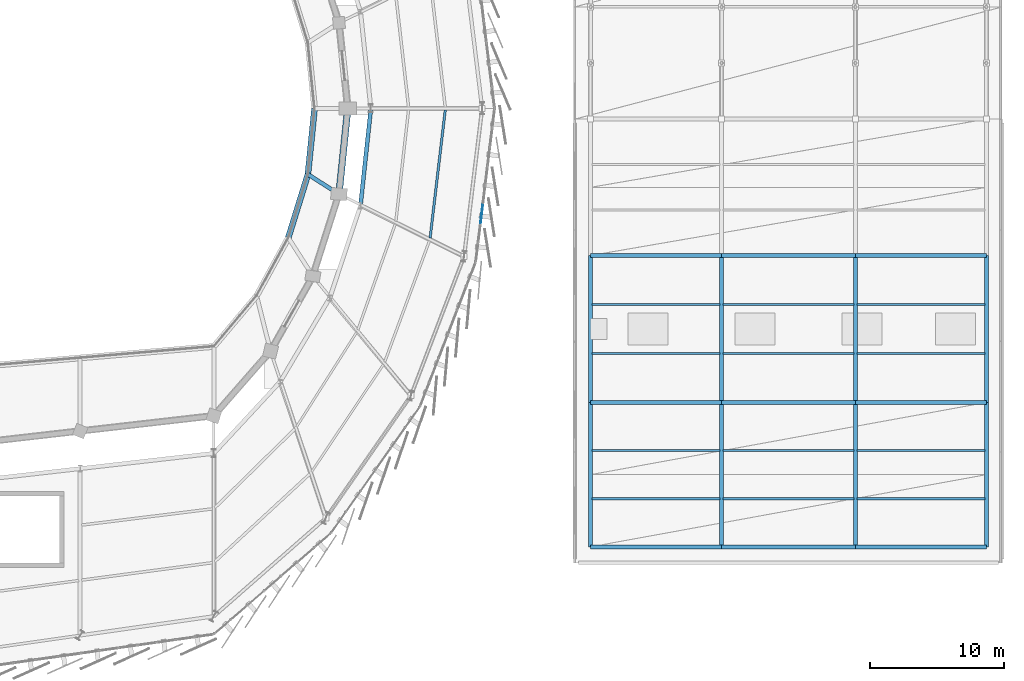
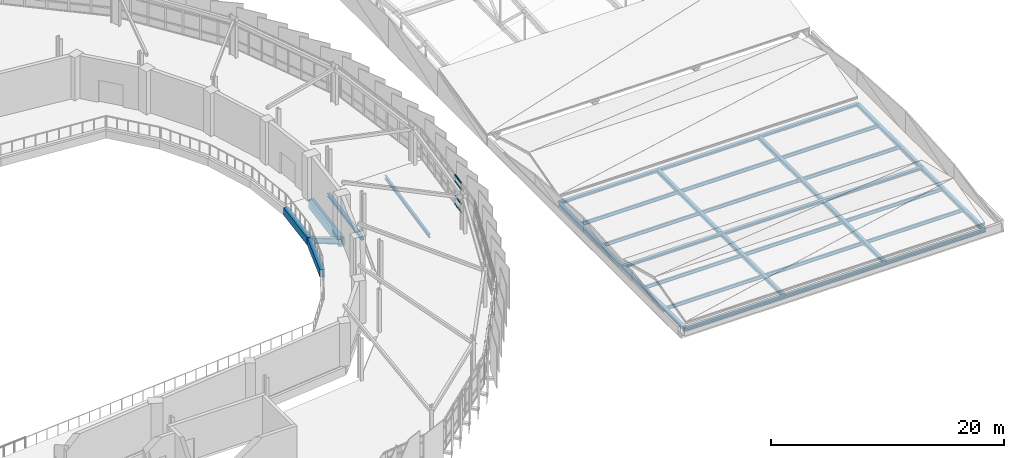
# One storey, part 43 of 87: 35 beams, 4 members, 1 element without a shape of its own.
"""IFC4 building model written with IfcOpenShell, lengths in metres."""

from ifc_helpers import new_model, si_unit, direction, frame, origin, origin_2d, place, context, subcontext, project, spatial, rectangle, i_section, extrude, material, layer, layer_set, material_profile, profile_set, type_object, element, aggregate, save


model = new_model("IFC4")

# Units and contexts
model_context = context("Model", 3, precision=1e-05, world=origin(), true_north=direction((0.0, 1.0)))
body_context = subcontext(model_context, "Body", "Model", "MODEL_VIEW")
ifc_project = project(units=[si_unit("LENGTHUNIT", "METRE"), si_unit("AREAUNIT", "SQUARE_METRE"), si_unit("VOLUMEUNIT", "CUBIC_METRE"), si_unit("PLANEANGLEUNIT", "RADIAN"), si_unit("MASSUNIT", "GRAM", prefix="KILO")], contexts=[model_context])

# Site, building, storey
site_placement = place(None, origin())
site = spatial("IfcSite", under=ifc_project, at=site_placement, CompositionType="ELEMENT")
building_placement = place(site_placement, origin())
building = spatial("IfcBuilding", under=site, at=building_placement, Name="Sohan Crest Arena", CompositionType="ELEMENT")
storey_placement = place(building_placement, frame((0.0, 0.0, 18.0)))
storey = spatial("IfcBuildingStorey", under=building, at=storey_placement, Name="L04", CompositionType="ELEMENT", Elevation=18.0)

# Curtain wall, members
ifc_material_1 = material(Name="Thermally broken anodised aluminium", Category="aluminium")
ifc_layer = layer(ifc_material_1, 0.18994140625, Name="Thermally broken anodised aluminium")
ifc_layer_set = layer_set([ifc_layer], Name="Thermally broken anodised aluminium")
curtain_wall_type = type_object("IfcCurtainWallType", Name="ARC-CW05", PredefinedType="NOTDEFINED", material=ifc_layer_set)
curtain_wall_placement = place(storey_placement, origin())
curtain_wall = element("IfcCurtainWall", 1, at=curtain_wall_placement, inside=storey, type_object=curtain_wall_type, Name="Unitised curtain wall CW-134", PredefinedType="NOTDEFINED")
ifc_material_profile_1 = material_profile(ifc_material_1, rectangle(XDim=0.06494140625, YDim=0.139892578125, at=origin_2d()), Name="ALU-TRAN 65x140")
ifc_profile_set_1 = profile_set([ifc_material_profile_1], Name="Thermally broken anodised aluminium")
member_type = type_object("IfcMemberType", Name="ARC-CW-TR02", PredefinedType="USERDEFINED", material=ifc_profile_set_1)
member_1_placement = place(storey_placement, frame((187.95556640625, 69.412841796875, 0.032470703125), z_axis=(0.122267990473, 0.992497122669, 0.0), x_axis=(-0.992497122669, 0.122267990473, 0.0)))
member_1 = element("IfcMember", 2, at=member_1_placement, type_object=member_type, Name="CW-134 transom 3.1", ObjectType="TRANSOM", PredefinedType="USERDEFINED", context=body_context, shape_type="SweptSolid", body=[
    extrude(rectangle(XDim=0.06494140625, YDim=0.139892578125, at=origin_2d()), origin(), (0.0, 0.0, 1.0), 1.377685546875),
])
member_2_placement = place(storey_placement, frame((187.95556640625, 69.412841796875, 0.89990234375), z_axis=(0.122267990473, 0.992497122669, 0.0), x_axis=(-0.992497122669, 0.122267990473, 0.0)))
member_2 = element("IfcMember", 3, at=member_2_placement, type_object=member_type, Name="CW-134 transom 3.2", ObjectType="TRANSOM", PredefinedType="USERDEFINED", context=body_context, shape_type="SweptSolid", body=[
    extrude(rectangle(XDim=0.06494140625, YDim=0.139892578125, at=origin_2d()), origin(), (0.0, 0.0, 1.0), 1.377685546875),
])
member_3_placement = place(storey_placement, frame((187.95556640625, 69.412841796875, 2.419921875), z_axis=(0.122267990473, 0.992497122669, 0.0), x_axis=(-0.992497122669, 0.122267990473, 0.0)))
member_3 = element("IfcMember", 4, at=member_3_placement, type_object=member_type, Name="CW-134 transom 3.3", ObjectType="TRANSOM", PredefinedType="USERDEFINED", context=body_context, shape_type="SweptSolid", body=[
    extrude(rectangle(XDim=0.06494140625, YDim=0.139892578125, at=origin_2d()), origin(), (0.0, 0.0, 1.0), 1.377685546875),
])
member_4_placement = place(storey_placement, frame((187.95556640625, 69.412841796875, 3.08740234375), z_axis=(0.122267990473, 0.992497122669, 0.0), x_axis=(-0.992497122669, 0.122267990473, 0.0)))
member_4 = element("IfcMember", 5, at=member_4_placement, type_object=member_type, Name="CW-134 transom 3.4", ObjectType="TRANSOM", PredefinedType="USERDEFINED", context=body_context, shape_type="SweptSolid", body=[
    extrude(rectangle(XDim=0.06494140625, YDim=0.139892578125, at=origin_2d()), origin(), (0.0, 0.0, 1.0), 1.377685546875),
])
aggregate(curtain_wall, [member_1, member_2, member_3, member_4])

# Beams
ifc_material_2 = material(Name="Steel S355", Category="steel")
ifc_material_profile_2 = material_profile(ifc_material_2, i_section(OverallWidth=0.169921875, OverallDepth=0.360107421875, WebThickness=0.008056640625, FlangeThickness=0.0126953125, at=origin_2d()), Name="IPE 360")
ifc_profile_set_2 = profile_set([ifc_material_profile_2], Name="Steel S355")
beam_type_1 = type_object("IfcBeamType", Name="STR-BM-B02", PredefinedType="JOIST", material=ifc_profile_set_2)
for number, where, z_axis, x_axis, name in (
    (6, (196.31005859375, 48.800048828125, -0.419921875), (1.0, 0.0, 0.0), (0.0, 1.0, 0.0), "Structural beam J-L04-2397"),
    (7, (196.31005859375, 52.39990234375, -0.419921875), (1.0, 0.0, 0.0), (0.0, 1.0, 0.0), "Structural beam J-L04-2398"),
):
    element("IfcBeam", number, at=place(storey_placement, frame(where, z_axis=z_axis, x_axis=x_axis)), inside=storey, type_object=beam_type_1, Name=name, PredefinedType="JOIST", context=body_context, shape_type="SweptSolid", body=[
        extrude(i_section(OverallWidth=0.169921875, OverallDepth=0.360107421875, WebThickness=0.008056640625, FlangeThickness=0.0126953125, at=origin_2d()), origin(), (0.0, 0.0, 1.0), 9.579833984375),
    ])
for number, where, z_axis, x_axis, name in (
    (8, (206.110107421875, 48.800048828125, -0.419921875), (1.0, 0.0, 0.0), (0.0, 1.0, 0.0), "Structural beam J-L04-2400"),
    (9, (206.110107421875, 52.39990234375, -0.419921875), (1.0, 0.0, 0.0), (0.0, 1.0, 0.0), "Structural beam J-L04-2401"),
):
    element("IfcBeam", number, at=place(storey_placement, frame(where, z_axis=z_axis, x_axis=x_axis)), inside=storey, type_object=beam_type_1, Name=name, PredefinedType="JOIST", context=body_context, shape_type="SweptSolid", body=[
        extrude(i_section(OverallWidth=0.169921875, OverallDepth=0.360107421875, WebThickness=0.008056640625, FlangeThickness=0.0126953125, at=origin_2d()), origin(), (0.0, 0.0, 1.0), 9.77978515625),
    ])
for number, where, z_axis, x_axis, name in (
    (10, (216.110107421875, 48.800048828125, -0.419921875), (1.0, 0.0, 0.0), (0.0, 1.0, 0.0), "Structural beam J-L04-2403"),
    (11, (216.110107421875, 52.39990234375, -0.419921875), (1.0, 0.0, 0.0), (0.0, 1.0, 0.0), "Structural beam J-L04-2404"),
    (12, (196.31005859375, 59.6669921875, -0.419921875), (1.0, 0.0, 0.0), (0.0, 1.0, 0.0), "Structural beam J-L04-2406"),
    (13, (196.31005859375, 63.3330078125, -0.419921875), (1.0, 0.0, 0.0), (0.0, 1.0, 0.0), "Structural beam J-L04-2407"),
):
    element("IfcBeam", number, at=place(storey_placement, frame(where, z_axis=z_axis, x_axis=x_axis)), inside=storey, type_object=beam_type_1, Name=name, PredefinedType="JOIST", context=body_context, shape_type="SweptSolid", body=[
        extrude(i_section(OverallWidth=0.169921875, OverallDepth=0.360107421875, WebThickness=0.008056640625, FlangeThickness=0.0126953125, at=origin_2d()), origin(), (0.0, 0.0, 1.0), 9.579833984375),
    ])
for number, where, z_axis, x_axis, name in (
    (14, (206.110107421875, 59.6669921875, -0.419921875), (1.0, 0.0, 0.0), (0.0, 1.0, 0.0), "Structural beam J-L04-2409"),
    (15, (206.110107421875, 63.3330078125, -0.419921875), (1.0, 0.0, 0.0), (0.0, 1.0, 0.0), "Structural beam J-L04-2410"),
):
    element("IfcBeam", number, at=place(storey_placement, frame(where, z_axis=z_axis, x_axis=x_axis)), inside=storey, type_object=beam_type_1, Name=name, PredefinedType="JOIST", context=body_context, shape_type="SweptSolid", body=[
        extrude(i_section(OverallWidth=0.169921875, OverallDepth=0.360107421875, WebThickness=0.008056640625, FlangeThickness=0.0126953125, at=origin_2d()), origin(), (0.0, 0.0, 1.0), 9.77978515625),
    ])
for number, where, z_axis, x_axis, name in (
    (16, (216.110107421875, 59.6669921875, -0.419921875), (1.0, 0.0, 0.0), (0.0, 1.0, 0.0), "Structural beam J-L04-2412"),
    (17, (216.110107421875, 63.3330078125, -0.419921875), (1.0, 0.0, 0.0), (0.0, 1.0, 0.0), "Structural beam J-L04-2413"),
):
    element("IfcBeam", number, at=place(storey_placement, frame(where, z_axis=z_axis, x_axis=x_axis)), inside=storey, type_object=beam_type_1, Name=name, PredefinedType="JOIST", context=body_context, shape_type="SweptSolid", body=[
        extrude(i_section(OverallWidth=0.169921875, OverallDepth=0.360107421875, WebThickness=0.008056640625, FlangeThickness=0.0126953125, at=origin_2d()), origin(), (0.0, 0.0, 1.0), 9.579833984375),
    ])
ifc_material_profile_3 = material_profile(ifc_material_2, i_section(OverallWidth=0.179931640625, OverallDepth=0.39990234375, WebThickness=0.008544921875, FlangeThickness=0.013427734375, at=origin_2d()), Name="IPE 400")
ifc_profile_set_3 = profile_set([ifc_material_profile_3], Name="Steel S355")
beam_type_2 = type_object("IfcBeamType", Name="STR-BM-B03", PredefinedType="JOIST", material=ifc_profile_set_3)
beam_1_placement = place(storey_placement, frame((184.179931640625, 68.299072265625, -0.449951171875), z_axis=(0.117608198901, 0.993060074493, 0.0), x_axis=(-0.993060074493, 0.117608198901, 0.0)))
element("IfcBeam", 18, at=beam_1_placement, inside=storey, type_object=beam_type_2, Name="Structural beam J-L04-1653", PredefinedType="JOIST", context=body_context, shape_type="SweptSolid", body=[
    extrude(i_section(OverallWidth=0.179931640625, OverallDepth=0.39990234375, WebThickness=0.008544921875, FlangeThickness=0.013427734375, at=origin_2d()), origin(), (0.0, 0.0, 1.0), 9.6591796875),
])
ifc_material_profile_4 = material_profile(ifc_material_2, i_section(OverallWidth=0.300048828125, OverallDepth=0.2900390625, WebThickness=0.008544921875, FlangeThickness=0.013916015625, at=origin_2d()), Name="HEA 300")
ifc_profile_set_4 = profile_set([ifc_material_profile_4], Name="Steel S355")
beam_type_3 = type_object("IfcBeamType", Name="STR-BM-B08", PredefinedType="BEAM", material=ifc_profile_set_4)
beam_2_placement = place(storey_placement, frame((196.199951171875, 45.199951171875, -0.385009765625), z_axis=(1.0, 0.0, 0.0), x_axis=(0.0, 1.0, 0.0)))
element("IfcBeam", 19, at=beam_2_placement, inside=storey, type_object=beam_type_3, Name="Structural beam G-L04-2396", PredefinedType="BEAM", context=body_context, shape_type="SweptSolid", body=[
    extrude(i_section(OverallWidth=0.300048828125, OverallDepth=0.2900390625, WebThickness=0.008544921875, FlangeThickness=0.013916015625, at=origin_2d()), origin(), (0.0, 0.0, 1.0), 9.800048828125),
])
beam_3_placement = place(storey_placement, frame((206.0, 45.199951171875, -0.385009765625), z_axis=(1.0, 0.0, 0.0), x_axis=(0.0, 1.0, 0.0)))
element("IfcBeam", 20, at=beam_3_placement, inside=storey, type_object=beam_type_3, Name="Structural beam G-L04-2399", PredefinedType="BEAM", context=body_context, shape_type="SweptSolid", body=[
    extrude(i_section(OverallWidth=0.300048828125, OverallDepth=0.2900390625, WebThickness=0.008544921875, FlangeThickness=0.013916015625, at=origin_2d()), origin(), (0.0, 0.0, 1.0), 10.0),
])
for number, where, z_axis, x_axis, name in (
    (21, (216.0, 45.199951171875, -0.385009765625), (1.0, 0.0, 0.0), (0.0, 1.0, 0.0), "Structural beam G-L04-2402"),
    (22, (196.199951171875, 56.0, -0.385009765625), (1.0, 0.0, 0.0), (0.0, 1.0, 0.0), "Structural beam G-L04-2405"),
):
    element("IfcBeam", number, at=place(storey_placement, frame(where, z_axis=z_axis, x_axis=x_axis)), inside=storey, type_object=beam_type_3, Name=name, PredefinedType="BEAM", context=body_context, shape_type="SweptSolid", body=[
        extrude(i_section(OverallWidth=0.300048828125, OverallDepth=0.2900390625, WebThickness=0.008544921875, FlangeThickness=0.013916015625, at=origin_2d()), origin(), (0.0, 0.0, 1.0), 9.800048828125),
    ])
beam_4_placement = place(storey_placement, frame((206.0, 56.0, -0.385009765625), z_axis=(1.0, 0.0, 0.0), x_axis=(0.0, 1.0, 0.0)))
element("IfcBeam", 23, at=beam_4_placement, inside=storey, type_object=beam_type_3, Name="Structural beam G-L04-2408", PredefinedType="BEAM", context=body_context, shape_type="SweptSolid", body=[
    extrude(i_section(OverallWidth=0.300048828125, OverallDepth=0.2900390625, WebThickness=0.008544921875, FlangeThickness=0.013916015625, at=origin_2d()), origin(), (0.0, 0.0, 1.0), 10.0),
])
for number, where, z_axis, x_axis, name in (
    (24, (216.0, 56.0, -0.385009765625), (1.0, 0.0, 0.0), (0.0, 1.0, 0.0), "Structural beam G-L04-2411"),
    (25, (196.199951171875, 67.0, -0.385009765625), (1.0, 0.0, 0.0), (0.0, 1.0, 0.0), "Structural beam G-L04-2414"),
):
    element("IfcBeam", number, at=place(storey_placement, frame(where, z_axis=z_axis, x_axis=x_axis)), inside=storey, type_object=beam_type_3, Name=name, PredefinedType="BEAM", context=body_context, shape_type="SweptSolid", body=[
        extrude(i_section(OverallWidth=0.300048828125, OverallDepth=0.2900390625, WebThickness=0.008544921875, FlangeThickness=0.013916015625, at=origin_2d()), origin(), (0.0, 0.0, 1.0), 9.800048828125),
    ])
beam_5_placement = place(storey_placement, frame((206.0, 67.0, -0.385009765625), z_axis=(1.0, 0.0, 0.0), x_axis=(0.0, 1.0, 0.0)))
element("IfcBeam", 26, at=beam_5_placement, inside=storey, type_object=beam_type_3, Name="Structural beam G-L04-2417", PredefinedType="BEAM", context=body_context, shape_type="SweptSolid", body=[
    extrude(i_section(OverallWidth=0.300048828125, OverallDepth=0.2900390625, WebThickness=0.008544921875, FlangeThickness=0.013916015625, at=origin_2d()), origin(), (0.0, 0.0, 1.0), 10.0),
])
beam_6_placement = place(storey_placement, frame((216.0, 67.0, -0.385009765625), z_axis=(1.0, 0.0, 0.0), x_axis=(0.0, 1.0, 0.0)))
element("IfcBeam", 27, at=beam_6_placement, inside=storey, type_object=beam_type_3, Name="Structural beam G-L04-2420", PredefinedType="BEAM", context=body_context, shape_type="SweptSolid", body=[
    extrude(i_section(OverallWidth=0.300048828125, OverallDepth=0.2900390625, WebThickness=0.008544921875, FlangeThickness=0.013916015625, at=origin_2d()), origin(), (0.0, 0.0, 1.0), 9.800048828125),
])
ifc_material_profile_5 = material_profile(ifc_material_2, i_section(OverallWidth=0.300048828125, OverallDepth=0.389892578125, WebThickness=0.010986328125, FlangeThickness=0.01904296875, at=origin_2d()), Name="HEA 400")
ifc_profile_set_5 = profile_set([ifc_material_profile_5], Name="Steel S355")
beam_type_4 = type_object("IfcBeamType", Name="STR-BM-B09", PredefinedType="BEAM", material=ifc_profile_set_5)
beam_7_placement = place(storey_placement, frame((196.199951171875, 45.199951171875, -0.43505859375), z_axis=(0.0, 1.0, 0.0), x_axis=(-1.0, 0.0, 0.0)))
element("IfcBeam", 28, at=beam_7_placement, inside=storey, type_object=beam_type_4, Name="Structural beam G-L04-2384", PredefinedType="BEAM", context=body_context, shape_type="SweptSolid", body=[
    extrude(i_section(OverallWidth=0.300048828125, OverallDepth=0.389892578125, WebThickness=0.010986328125, FlangeThickness=0.01904296875, at=origin_2d()), origin(), (0.0, 0.0, 1.0), 10.800048828125),
])
beam_8_placement = place(storey_placement, frame((196.199951171875, 56.0, -0.43505859375), z_axis=(0.0, 1.0, 0.0), x_axis=(-1.0, 0.0, 0.0)))
element("IfcBeam", 29, at=beam_8_placement, inside=storey, type_object=beam_type_4, Name="Structural beam G-L04-2385", PredefinedType="BEAM", context=body_context, shape_type="SweptSolid", body=[
    extrude(i_section(OverallWidth=0.300048828125, OverallDepth=0.389892578125, WebThickness=0.010986328125, FlangeThickness=0.01904296875, at=origin_2d()), origin(), (0.0, 0.0, 1.0), 11.0),
])
beam_9_placement = place(storey_placement, frame((206.0, 45.199951171875, -0.43505859375), z_axis=(0.0, 1.0, 0.0), x_axis=(-1.0, 0.0, 0.0)))
element("IfcBeam", 30, at=beam_9_placement, inside=storey, type_object=beam_type_4, Name="Structural beam G-L04-2387", PredefinedType="BEAM", context=body_context, shape_type="SweptSolid", body=[
    extrude(i_section(OverallWidth=0.300048828125, OverallDepth=0.389892578125, WebThickness=0.010986328125, FlangeThickness=0.01904296875, at=origin_2d()), origin(), (0.0, 0.0, 1.0), 10.800048828125),
])
beam_10_placement = place(storey_placement, frame((206.0, 56.0, -0.43505859375), z_axis=(0.0, 1.0, 0.0), x_axis=(-1.0, 0.0, 0.0)))
element("IfcBeam", 31, at=beam_10_placement, inside=storey, type_object=beam_type_4, Name="Structural beam G-L04-2388", PredefinedType="BEAM", context=body_context, shape_type="SweptSolid", body=[
    extrude(i_section(OverallWidth=0.300048828125, OverallDepth=0.389892578125, WebThickness=0.010986328125, FlangeThickness=0.01904296875, at=origin_2d()), origin(), (0.0, 0.0, 1.0), 11.0),
])
beam_11_placement = place(storey_placement, frame((216.0, 45.199951171875, -0.43505859375), z_axis=(0.0, 1.0, 0.0), x_axis=(-1.0, 0.0, 0.0)))
element("IfcBeam", 32, at=beam_11_placement, inside=storey, type_object=beam_type_4, Name="Structural beam G-L04-2390", PredefinedType="BEAM", context=body_context, shape_type="SweptSolid", body=[
    extrude(i_section(OverallWidth=0.300048828125, OverallDepth=0.389892578125, WebThickness=0.010986328125, FlangeThickness=0.01904296875, at=origin_2d()), origin(), (0.0, 0.0, 1.0), 10.800048828125),
])
beam_12_placement = place(storey_placement, frame((216.0, 56.0, -0.43505859375), z_axis=(0.0, 1.0, 0.0), x_axis=(-1.0, 0.0, 0.0)))
element("IfcBeam", 33, at=beam_12_placement, inside=storey, type_object=beam_type_4, Name="Structural beam G-L04-2391", PredefinedType="BEAM", context=body_context, shape_type="SweptSolid", body=[
    extrude(i_section(OverallWidth=0.300048828125, OverallDepth=0.389892578125, WebThickness=0.010986328125, FlangeThickness=0.01904296875, at=origin_2d()), origin(), (0.0, 0.0, 1.0), 11.0),
])
beam_13_placement = place(storey_placement, frame((225.800048828125, 45.199951171875, -0.43505859375), z_axis=(0.0, 1.0, 0.0), x_axis=(-1.0, 0.0, 0.0)))
element("IfcBeam", 34, at=beam_13_placement, inside=storey, type_object=beam_type_4, Name="Structural beam G-L04-2393", PredefinedType="BEAM", context=body_context, shape_type="SweptSolid", body=[
    extrude(i_section(OverallWidth=0.300048828125, OverallDepth=0.389892578125, WebThickness=0.010986328125, FlangeThickness=0.01904296875, at=origin_2d()), origin(), (0.0, 0.0, 1.0), 10.800048828125),
])
beam_14_placement = place(storey_placement, frame((225.800048828125, 56.0, -0.43505859375), z_axis=(0.0, 1.0, 0.0), x_axis=(-1.0, 0.0, 0.0)))
element("IfcBeam", 35, at=beam_14_placement, inside=storey, type_object=beam_type_4, Name="Structural beam G-L04-2394", PredefinedType="BEAM", context=body_context, shape_type="SweptSolid", body=[
    extrude(i_section(OverallWidth=0.300048828125, OverallDepth=0.389892578125, WebThickness=0.010986328125, FlangeThickness=0.01904296875, at=origin_2d()), origin(), (0.0, 0.0, 1.0), 11.0),
])
ifc_material_profile_6 = material_profile(ifc_material_2, i_section(OverallWidth=0.300048828125, OverallDepth=0.590087890625, WebThickness=0.012939453125, FlangeThickness=0.02490234375, at=origin_2d()), Name="HEA 600")
ifc_profile_set_6 = profile_set([ifc_material_profile_6], Name="Steel S355")
beam_type_5 = type_object("IfcBeamType", Name="STR-BM-B11", PredefinedType="BEAM", material=ifc_profile_set_6)
beam_15_placement = place(storey_placement, frame((175.037109375, 73.070068359375, -0.544921875), z_axis=(0.84416826172, -0.536078302027, 0.0), x_axis=(0.536078302027, 0.84416826172, 0.0)))
element("IfcBeam", 36, at=beam_15_placement, inside=storey, type_object=beam_type_5, Name="Structural beam G-L04-0565", PredefinedType="BEAM", context=body_context, shape_type="SweptSolid", body=[
    extrude(i_section(OverallWidth=0.300048828125, OverallDepth=0.590087890625, WebThickness=0.012939453125, FlangeThickness=0.02490234375, at=origin_2d()), origin(), (0.0, 0.0, 1.0), 2.75537109375),
])
ifc_material_profile_7 = material_profile(ifc_material_2, i_section(OverallWidth=0.300048828125, OverallDepth=0.300048828125, WebThickness=0.010986328125, FlangeThickness=0.01904296875, at=origin_2d()), Name="HEB 300")
ifc_profile_set_7 = profile_set([ifc_material_profile_7], Name="Steel S355")
beam_type_6 = type_object("IfcBeamType", Name="STR-BM-B12", PredefinedType="BEAM", material=ifc_profile_set_7)
beam_16_placement = place(storey_placement, frame((178.971923828125, 70.748046875, -0.39990234375), z_axis=(0.106679679342, 0.994293440598, 0.0), x_axis=(-0.994293440598, 0.106679679342, 0.0)))
element("IfcBeam", 37, at=beam_16_placement, inside=storey, type_object=beam_type_6, Name="Structural beam G-L04-1650", PredefinedType="BEAM", context=body_context, shape_type="SweptSolid", body=[
    extrude(i_section(OverallWidth=0.300048828125, OverallDepth=0.300048828125, WebThickness=0.010986328125, FlangeThickness=0.01904296875, at=origin_2d()), origin(), (0.0, 0.0, 1.0), 7.29345703125),
])
ifc_material_3 = material(Name="Concrete C40/50", Category="concrete")
ifc_material_profile_8 = material_profile(ifc_material_3, rectangle(XDim=0.449951171875, YDim=0.800048828125, at=origin_2d()), Name="RC-BM 450x800")
ifc_profile_set_8 = profile_set([ifc_material_profile_8], Name="Concrete C40/50")
beam_type_7 = type_object("IfcBeamType", Name="STR-BM-TB02", PredefinedType="BEAM", material=ifc_profile_set_8)
beam_17_placement = place(storey_placement, frame((173.571044921875, 68.3359375, -0.64990234375), z_axis=(0.295819661295, 0.955243805524, 0.0), x_axis=(-0.955243805524, 0.295819661295, 0.0)))
element("IfcBeam", 38, at=beam_17_placement, inside=storey, type_object=beam_type_7, Name="Structural beam TB-L04-0540", PredefinedType="BEAM", context=body_context, shape_type="SweptSolid", body=[
    extrude(rectangle(XDim=0.449951171875, YDim=0.800048828125, at=origin_2d()), origin(), (0.0, 0.0, 1.0), 4.9560546875),
])
beam_18_placement = place(storey_placement, frame((175.037109375, 73.070068359375, -0.64990234375), z_axis=(0.099879368849, 0.994999553607, 0.0), x_axis=(-0.994999553607, 0.099879368849, 0.0)))
element("IfcBeam", 39, at=beam_18_placement, inside=storey, type_object=beam_type_7, Name="Structural beam TB-L04-0563", PredefinedType="BEAM", context=body_context, shape_type="SweptSolid", body=[
    extrude(rectangle(XDim=0.449951171875, YDim=0.800048828125, at=origin_2d()), origin(), (0.0, 0.0, 1.0), 4.95458984375),
])
ifc_material_profile_9 = material_profile(ifc_material_3, rectangle(XDim=0.5, YDim=0.89990234375, at=origin_2d()), Name="RC-BM 500x900")
ifc_profile_set_9 = profile_set([ifc_material_profile_9], Name="Concrete C40/50")
beam_type_8 = type_object("IfcBeamType", Name="STR-BM-TB03", PredefinedType="BEAM", material=ifc_profile_set_9)
beam_19_placement = place(storey_placement, frame((177.363037109375, 71.593017578125, -0.699951171875), z_axis=(0.102456857996, 0.994737448903, 0.0), x_axis=(-0.994737448903, 0.102456857996, 0.0)))
element("IfcBeam", 40, at=beam_19_placement, inside=storey, type_object=beam_type_8, Name="Structural beam TB-L04-0564", PredefinedType="BEAM", context=body_context, shape_type="SweptSolid", body=[
    extrude(rectangle(XDim=0.5, YDim=0.89990234375, at=origin_2d()), origin(), (0.0, 0.0, 1.0), 6.44091796875),
])

save(model, "model.ifc")
